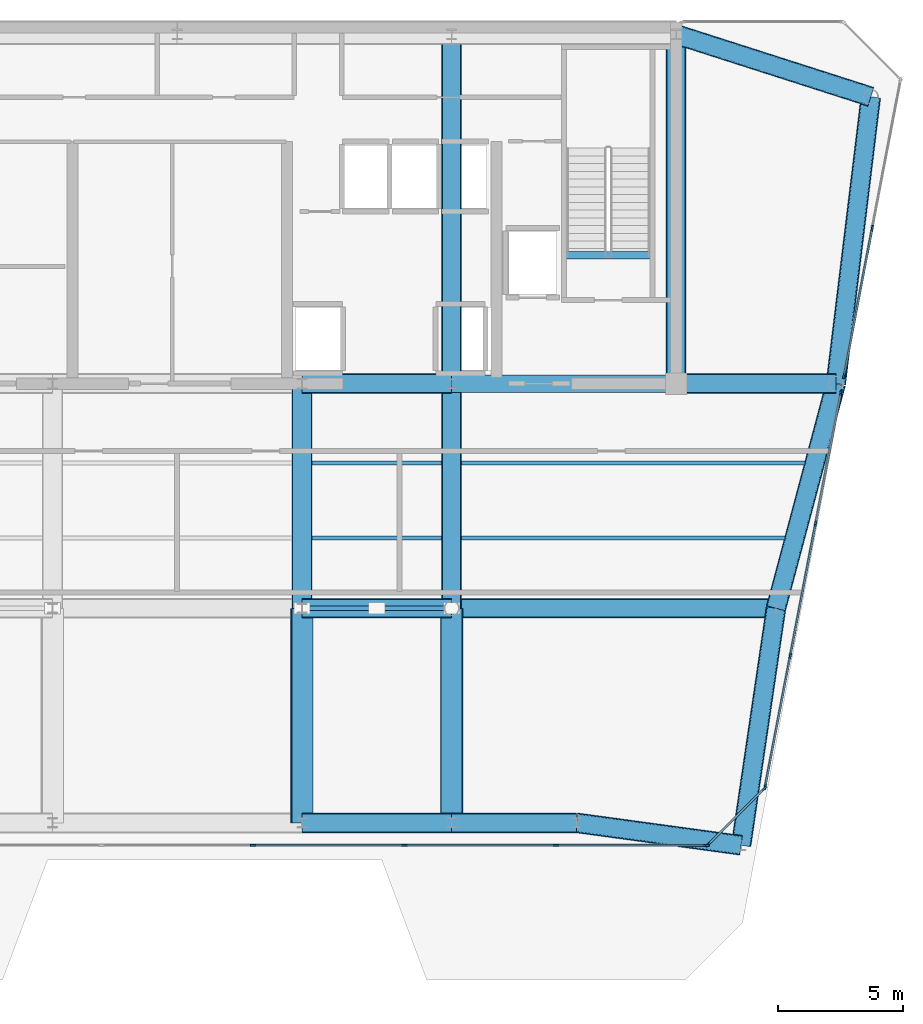
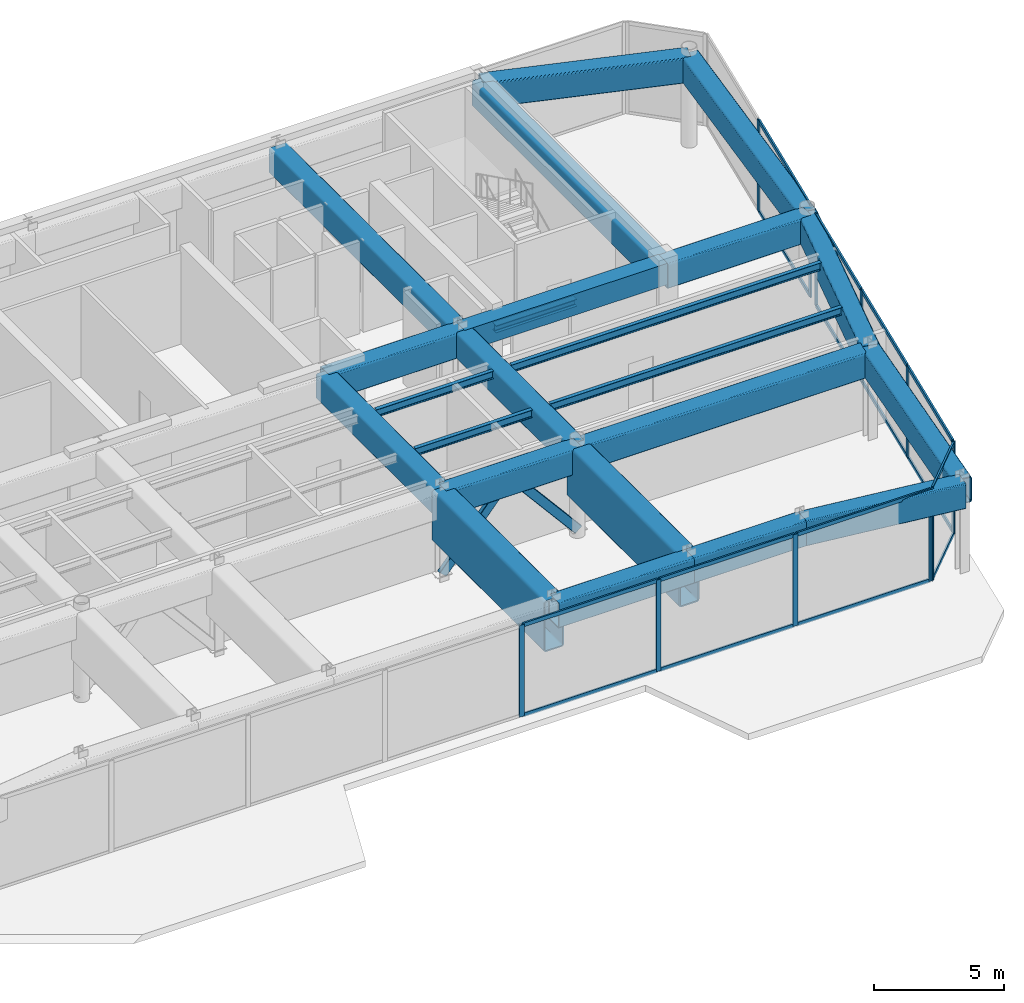
# One storey, part 5 of 14: 30 members, 23 beams, 4 elements without a shape of their own.
"""IFC4 building model written with IfcOpenShell, lengths in metres."""

from ifc_helpers import new_model, si_unit, direction, frame, origin, origin_2d, place, context, subcontext, project, spatial, rectangle, hollow_rectangle, i_section, extrude, source, transform, mapped, material, layer, layer_set, material_profile, profile_set, type_object, element, aggregate, save


model = new_model("IFC4")

# Units and contexts
model_context = context("Model", 3, precision=1e-05, world=origin(), true_north=direction((0.0, 1.0)))
body_context = subcontext(model_context, "Body", "Model", "MODEL_VIEW")
ifc_project = project(units=[si_unit("LENGTHUNIT", "METRE"), si_unit("AREAUNIT", "SQUARE_METRE"), si_unit("VOLUMEUNIT", "CUBIC_METRE"), si_unit("PLANEANGLEUNIT", "RADIAN"), si_unit("MASSUNIT", "GRAM", prefix="KILO")], contexts=[model_context])

# Site, building, storey
site_placement = place(None, origin())
site = spatial("IfcSite", under=ifc_project, at=site_placement, CompositionType="ELEMENT")
building_placement = place(site_placement, origin())
building = spatial("IfcBuilding", under=site, at=building_placement, Name="Vaeldorn Concourse Tower", CompositionType="ELEMENT")
storey_placement = place(building_placement, frame((0.0, 0.0, 303.800048828125)))
storey = spatial("IfcBuildingStorey", under=building, at=storey_placement, Name="L78", CompositionType="ELEMENT", Elevation=303.800048828125)

# Beams
ifc_material_1 = material(Name="Concrete C50/60", Category="concrete")
ifc_material_profile_1 = material_profile(ifc_material_1, rectangle(XDim=0.699951171875, YDim=1.0, at=origin_2d()), Name="RC 700x1000")
ifc_profile_set_1 = profile_set([ifc_material_profile_1], Name="Concrete C50/60")
beam_type_1 = type_object("IfcBeamType", Name="BM-CB-RC700", PredefinedType="BEAM", material=ifc_profile_set_1)
shared_shape_1 = source(origin(), body_context, "Body", "SweptSolid", [
    extrude(rectangle(XDim=0.699951171875, YDim=1.0, at=origin_2d()), origin(), (0.0, 0.0, 1.0), 9.0),
])
beam_1_placement = place(storey_placement, frame((45.0, 36.5, 3.800048828125), z_axis=(1.0, 0.0, 0.0), x_axis=(0.0, 1.0, 0.0)))
element("IfcBeam", 1, at=beam_1_placement, inside=storey, type_object=beam_type_1, Name="Core Coupling Beam L78-2", PredefinedType="BEAM", context=body_context, shape_type="MappedRepresentation", body=[
    mapped(shared_shape_1, transform((0.0, 0.0, 0.0), scale=1.0)),
])
ifc_material_2 = material(Name="Steel S355", Category="steel")
ifc_material_profile_2 = material_profile(ifc_material_2, i_section(OverallWidth=0.300048828125, OverallDepth=0.340087890625, WebThickness=0.011962890625, FlangeThickness=0.021484375, FilletRadius=0.027099609375, at=origin_2d()), Name="HEB 340")
ifc_profile_set_2 = profile_set([ifc_material_profile_2], Name="Steel S355")
beam_type_2 = type_object("IfcBeamType", Name="BM-ST-TRIM", PredefinedType="BEAM", material=ifc_profile_set_2)
shared_shape_2 = source(origin(), body_context, "Body", "SweptSolid", [
    extrude(i_section(OverallWidth=0.300048828125, OverallDepth=0.340087890625, WebThickness=0.011962890625, FlangeThickness=0.021484375, FilletRadius=0.027099609375, at=origin_2d()), origin(), (0.0, 0.0, 1.0), 3.590087890625),
])
beam_2_placement = place(storey_placement, frame((49.47998046875, 41.639892578125, -0.469970703125), z_axis=(1.0, 0.0, 0.0), x_axis=(0.0, 1.0, 0.0)))
element("IfcBeam", 2, at=beam_2_placement, inside=storey, type_object=beam_type_2, Name="Stair Landing Trimmer Beam ST-2 L78", PredefinedType="BEAM", context=body_context, shape_type="MappedRepresentation", body=[
    mapped(shared_shape_2, transform((0.0, 0.0, 0.0), scale=1.0)),
])
ifc_material_3 = material(Name="Steel S460", Category="steel")
ifc_material_profile_3 = material_profile(ifc_material_3, hollow_rectangle(XDim=0.800048828125, YDim=1.199951171875, WallThickness=0.044921875, InnerFilletRadius=0.044921875, OuterFilletRadius=0.090087890625, at=origin_2d()), Name="RHS 1200x800x45")
ifc_profile_set_3 = profile_set([ifc_material_profile_3], Name="Steel S460")
beam_type_3 = type_object("IfcBeamType", Name="BM-TG-RHS1200", PredefinedType="BEAM", material=ifc_profile_set_3)
shared_shape_3 = source(origin(), body_context, "Body", "SweptSolid", [
    extrude(hollow_rectangle(XDim=0.800048828125, YDim=1.199951171875, WallThickness=0.044921875, InnerFilletRadius=0.044921875, OuterFilletRadius=0.090087890625, at=origin_2d()), origin(), (0.0, 0.0, 1.0), 6.0),
])
for number, where, z_axis, x_axis, name in (
    (3, (39.0, 36.5, 3.699951171875), (1.0, 0.0, 0.0), (0.0, 1.0, 0.0), "Beam BM-L78-C-FC4-C-FC5"),
    (4, (39.0, 27.5, 3.699951171875), (1.0, 0.0, 0.0), (0.0, 1.0, 0.0), "Beam BM-L78-C-TW3-C-TW4"),
    (5, (39.0, 18.89990234375, 3.699951171875), (1.0, 0.0, 0.0), (0.0, 1.0, 0.0), "Beam BM-L78-C-SF4-C-SF5"),
):
    element("IfcBeam", number, at=place(storey_placement, frame(where, z_axis=z_axis, x_axis=x_axis)), inside=storey, type_object=beam_type_3, Name=name, PredefinedType="BEAM", context=body_context, shape_type="MappedRepresentation", body=[
        mapped(shared_shape_3, transform((0.0, 0.0, 0.0), scale=1.0)),
    ])
shared_shape_4 = source(origin(), body_context, "Body", "SweptSolid", [
    extrude(hollow_rectangle(XDim=0.800048828125, YDim=1.199951171875, WallThickness=0.044921875, InnerFilletRadius=0.044921875, OuterFilletRadius=0.090087890625, at=origin_2d()), origin(), (0.0, 0.0, 1.0), 9.0),
])
for number, where, z_axis, x_axis, name in (
    (6, (39.0, 27.5, 3.699951171875), (0.0, 1.0, 0.0), (-1.0, 0.0, 0.0), "Beam BM-L78-C-TW3-C-FC4"),
    (7, (45.0, 27.5, 3.699951171875), (0.0, 1.0, 0.0), (-1.0, 0.0, 0.0), "Beam BM-L78-C-TW4-C-FC5"),
):
    element("IfcBeam", number, at=place(storey_placement, frame(where, z_axis=z_axis, x_axis=x_axis)), inside=storey, type_object=beam_type_3, Name=name, PredefinedType="BEAM", context=body_context, shape_type="MappedRepresentation", body=[
        mapped(shared_shape_4, transform((0.0, 0.0, 0.0), scale=1.0)),
    ])
shared_shape_5 = source(origin(), body_context, "Body", "SweptSolid", [
    extrude(hollow_rectangle(XDim=0.800048828125, YDim=1.199951171875, WallThickness=0.044921875, InnerFilletRadius=0.044921875, OuterFilletRadius=0.090087890625, at=origin_2d()), origin(), (0.0, 0.0, 1.0), 14.0),
])
for number, where, z_axis, x_axis, name in (
    (8, (45.0, 36.5, 3.699951171875), (0.0, 1.0, 0.0), (-1.0, 0.0, 0.0), "Beam BM-L78-C-FC5-C-HC4"),
    (9, (54.0, 36.5, 3.699951171875), (0.0, 1.0, 0.0), (-1.0, 0.0, 0.0), "Beam BM-L78-C-FC6-C-HC5"),
):
    element("IfcBeam", number, at=place(storey_placement, frame(where, z_axis=z_axis, x_axis=x_axis)), inside=storey, type_object=beam_type_3, Name=name, PredefinedType="BEAM", context=body_context, shape_type="MappedRepresentation", body=[
        mapped(shared_shape_5, transform((0.0, 0.0, 0.0), scale=1.0)),
    ])
shared_shape_6 = source(origin(), body_context, "Body", "SweptSolid", [
    extrude(hollow_rectangle(XDim=0.800048828125, YDim=1.199951171875, WallThickness=0.044921875, InnerFilletRadius=0.044921875, OuterFilletRadius=0.090087890625, at=origin_2d()), origin(), (0.0, 0.0, 1.0), 13.0),
])
beam_3_placement = place(storey_placement, frame((45.0, 27.5, 3.699951171875), z_axis=(1.0, 0.0, 0.0), x_axis=(0.0, 1.0, 0.0)))
element("IfcBeam", 10, at=beam_3_placement, inside=storey, type_object=beam_type_3, Name="Beam BM-L78-C-TW4-C-FLE1", PredefinedType="BEAM", context=body_context, shape_type="MappedRepresentation", body=[
    mapped(shared_shape_6, transform((0.0, 0.0, 0.0), scale=1.0)),
])
shared_shape_7 = source(origin(), body_context, "Body", "SweptSolid", [
    extrude(hollow_rectangle(XDim=0.800048828125, YDim=1.199951171875, WallThickness=0.044921875, InnerFilletRadius=0.044921875, OuterFilletRadius=0.090087890625, at=origin_2d()), origin(), (0.0, 0.0, 1.0), 5.0),
])
beam_4_placement = place(storey_placement, frame((45.0, 18.89990234375, 3.699951171875), z_axis=(1.0, 0.0, 0.0), x_axis=(0.0, 1.0, 0.0)))
element("IfcBeam", 11, at=beam_4_placement, inside=storey, type_object=beam_type_3, Name="Beam BM-L78-C-SF5-C-SF6", PredefinedType="BEAM", context=body_context, shape_type="MappedRepresentation", body=[
    mapped(shared_shape_7, transform((0.0, 0.0, 0.0), scale=1.0)),
])
shared_shape_8 = source(origin(), body_context, "Body", "SweptSolid", [
    extrude(hollow_rectangle(XDim=0.800048828125, YDim=1.199951171875, WallThickness=0.044921875, InnerFilletRadius=0.044921875, OuterFilletRadius=0.090087890625, at=origin_2d()), origin(), (0.0, 0.0, 1.0), 6.39990234375),
])
beam_5_placement = place(storey_placement, frame((54.0, 36.5, 3.699951171875), z_axis=(1.0, 0.0, 0.0), x_axis=(0.0, 1.0, 0.0)))
element("IfcBeam", 12, at=beam_5_placement, inside=storey, type_object=beam_type_3, Name="Beam BM-L78-C-FC6-C-NE2", PredefinedType="BEAM", context=body_context, shape_type="MappedRepresentation", body=[
    mapped(shared_shape_8, transform((0.0, 0.0, 0.0), scale=1.0)),
])
shared_shape_9 = source(origin(), body_context, "Body", "SweptSolid", [
    extrude(hollow_rectangle(XDim=0.800048828125, YDim=1.199951171875, WallThickness=0.044921875, InnerFilletRadius=0.044921875, OuterFilletRadius=0.090087890625, at=origin_2d()), origin(), (0.0, 0.0, 1.0), 8.19091796875),
])
beam_6_placement = place(storey_placement, frame((54.0, 50.5, 3.699951171875), z_axis=(0.952282843383, -0.305216949396, 0.0), x_axis=(0.305216949396, 0.952282843383, 0.0)))
element("IfcBeam", 13, at=beam_6_placement, inside=storey, type_object=beam_type_3, Name="Beam BM-L78-C-HC5-C-NE1", PredefinedType="BEAM", context=body_context, shape_type="MappedRepresentation", body=[
    mapped(shared_shape_9, transform((0.0, 0.0, 0.0), scale=1.0)),
])
shared_shape_10 = source(origin(), body_context, "Body", "SweptSolid", [
    extrude(hollow_rectangle(XDim=0.800048828125, YDim=1.199951171875, WallThickness=0.044921875, InnerFilletRadius=0.044921875, OuterFilletRadius=0.090087890625, at=origin_2d()), origin(), (0.0, 0.0, 1.0), 11.5849609375),
])
beam_7_placement = place(storey_placement, frame((61.800048828125, 48.0, 3.699951171875), z_axis=(-0.120859382899, -0.992669637677, 0.0), x_axis=(0.992669637677, -0.120859382899, 0.0)))
element("IfcBeam", 14, at=beam_7_placement, inside=storey, type_object=beam_type_3, Name="Beam BM-L78-C-NE1-C-NE2", PredefinedType="BEAM", context=body_context, shape_type="MappedRepresentation", body=[
    mapped(shared_shape_10, transform((0.0, 0.0, 0.0), scale=1.0)),
])
shared_shape_11 = source(origin(), body_context, "Body", "SweptSolid", [
    extrude(hollow_rectangle(XDim=0.800048828125, YDim=1.199951171875, WallThickness=0.044921875, InnerFilletRadius=0.044921875, OuterFilletRadius=0.090087890625, at=origin_2d()), origin(), (0.0, 0.0, 1.0), 9.314453125),
])
beam_8_placement = place(storey_placement, frame((60.39990234375, 36.5, 3.699951171875), z_axis=(-0.257652862255, -0.966237549763, 0.0), x_axis=(0.966237549763, -0.257652862255, 0.0)))
element("IfcBeam", 15, at=beam_8_placement, inside=storey, type_object=beam_type_3, Name="Beam BM-L78-C-NE2-C-FLE1", PredefinedType="BEAM", context=body_context, shape_type="MappedRepresentation", body=[
    mapped(shared_shape_11, transform((0.0, 0.0, 0.0), scale=1.0)),
])
shared_shape_12 = source(origin(), body_context, "Body", "SweptSolid", [
    extrude(hollow_rectangle(XDim=0.800048828125, YDim=1.199951171875, WallThickness=0.044921875, InnerFilletRadius=0.044921875, OuterFilletRadius=0.090087890625, at=origin_2d()), origin(), (0.0, 0.0, 1.0), 9.6025390625),
])
beam_9_placement = place(storey_placement, frame((58.0, 27.5, 3.699951171875), z_axis=(-0.145783835977, -0.989316467652, 0.0), x_axis=(0.989316467652, -0.145783835977, 0.0)))
element("IfcBeam", 16, at=beam_9_placement, inside=storey, type_object=beam_type_3, Name="Beam BM-L78-C-FLE1-C-FLE2", PredefinedType="BEAM", context=body_context, shape_type="MappedRepresentation", body=[
    mapped(shared_shape_12, transform((0.0, 0.0, 0.0), scale=1.0)),
])
ifc_material_profile_4 = material_profile(ifc_material_2, i_section(OverallWidth=0.169921875, OverallDepth=0.360107421875, WebThickness=0.008056640625, FlangeThickness=0.0126953125, FilletRadius=0.01806640625, at=origin_2d()), Name="IPE 360")
ifc_profile_set_4 = profile_set([ifc_material_profile_4], Name="Steel S355")
beam_type_4 = type_object("IfcBeamType", Name="BM-JS-IPE360", PredefinedType="JOIST", material=ifc_profile_set_4)
shared_shape_13 = source(origin(), body_context, "Body", "SweptSolid", [
    extrude(i_section(OverallWidth=0.169921875, OverallDepth=0.360107421875, WebThickness=0.008056640625, FlangeThickness=0.0126953125, FilletRadius=0.01806640625, at=origin_2d()), origin(), (0.0, 0.0, 1.0), 5.2001953125),
])
for number, where, z_axis, x_axis, name in (
    (17, (39.39990234375, 30.320068359375, 4.119873046875), (1.0, 0.0, 0.0), (0.0, 1.0, 0.0), "Beam JS-L78-E2-303"),
    (18, (39.39990234375, 33.320068359375, 4.119873046875), (1.0, 0.0, 0.0), (0.0, 1.0, 0.0), "Beam JS-L78-E2-333"),
):
    element("IfcBeam", number, at=place(storey_placement, frame(where, z_axis=z_axis, x_axis=x_axis)), inside=storey, type_object=beam_type_4, Name=name, PredefinedType="JOIST", context=body_context, shape_type="MappedRepresentation", body=[
        mapped(shared_shape_13, transform((0.0, 0.0, 0.0), scale=1.0)),
    ])
shared_shape_14 = source(origin(), body_context, "Body", "SweptSolid", [
    extrude(i_section(OverallWidth=0.169921875, OverallDepth=0.360107421875, WebThickness=0.008056640625, FlangeThickness=0.0126953125, FilletRadius=0.01806640625, at=origin_2d()), origin(), (0.0, 0.0, 1.0), 12.9521484375),
])
beam_10_placement = place(storey_placement, frame((45.39990234375, 30.320068359375, 4.119873046875), z_axis=(1.0, 0.0, 0.0), x_axis=(0.0, 1.0, 0.0)))
element("IfcBeam", 19, at=beam_10_placement, inside=storey, type_object=beam_type_4, Name="Beam JS-L78-E1-303", PredefinedType="JOIST", context=body_context, shape_type="MappedRepresentation", body=[
    mapped(shared_shape_14, transform((0.0, 0.0, 0.0), scale=1.0)),
])
shared_shape_15 = source(origin(), body_context, "Body", "SweptSolid", [
    extrude(i_section(OverallWidth=0.169921875, OverallDepth=0.360107421875, WebThickness=0.008056640625, FlangeThickness=0.0126953125, FilletRadius=0.01806640625, at=origin_2d()), origin(), (0.0, 0.0, 1.0), 13.752197265625),
])
beam_11_placement = place(storey_placement, frame((45.39990234375, 33.320068359375, 4.119873046875), z_axis=(1.0, 0.0, 0.0), x_axis=(0.0, 1.0, 0.0)))
element("IfcBeam", 20, at=beam_11_placement, inside=storey, type_object=beam_type_4, Name="Beam JS-L78-E1-333", PredefinedType="JOIST", context=body_context, shape_type="MappedRepresentation", body=[
    mapped(shared_shape_15, transform((0.0, 0.0, 0.0), scale=1.0)),
])
ifc_material_profile_5 = material_profile(ifc_material_3, hollow_rectangle(XDim=0.89990234375, YDim=2.39990234375, WallThickness=0.06005859375, InnerFilletRadius=0.06005859375, OuterFilletRadius=0.1201171875, at=origin_2d()), Name="RHS 2400x900x60")
ifc_profile_set_5 = profile_set([ifc_material_profile_5], Name="Steel S460")
beam_type_5 = type_object("IfcBeamType", Name="BM-TG-BOX2400", PredefinedType="BEAM", material=ifc_profile_set_5)
shared_shape_16 = source(origin(), body_context, "Body", "SweptSolid", [
    extrude(hollow_rectangle(XDim=0.89990234375, YDim=2.39990234375, WallThickness=0.06005859375, InnerFilletRadius=0.06005859375, OuterFilletRadius=0.1201171875, at=origin_2d()), origin(), (0.0, 0.0, 1.0), 8.60009765625),
])
for number, where, z_axis, x_axis, name in (
    (21, (39.0, 18.89990234375, 3.099853515625), (0.0, 1.0, 0.0), (-1.0, 0.0, 0.0), "Beam BM-SETBACK-L78-C-SF4"),
    (22, (45.0, 18.89990234375, 3.099853515625), (0.0, 1.0, 0.0), (-1.0, 0.0, 0.0), "Beam BM-SETBACK-L78-C-SF5"),
):
    element("IfcBeam", number, at=place(storey_placement, frame(where, z_axis=z_axis, x_axis=x_axis)), inside=storey, type_object=beam_type_5, Name=name, PredefinedType="BEAM", context=body_context, shape_type="MappedRepresentation", body=[
        mapped(shared_shape_16, transform((0.0, 0.0, 0.0), scale=1.0)),
    ])
shared_shape_17 = source(origin(), body_context, "Body", "SweptSolid", [
    extrude(hollow_rectangle(XDim=0.800048828125, YDim=1.199951171875, WallThickness=0.044921875, InnerFilletRadius=0.044921875, OuterFilletRadius=0.090087890625, at=origin_2d()), origin(), (0.0, 0.0, 1.0), 6.6611328125),
])
beam_12_placement = place(storey_placement, frame((50.0, 18.89990234375, 3.699951171875), z_axis=(0.990832398214, -0.135096849146, 0.0), x_axis=(0.135096849146, 0.990832398214, 0.0)))
element("IfcBeam", 23, at=beam_12_placement, inside=storey, type_object=beam_type_3, Name="Beam BM-L78-C-SF6-C-FLE2", PredefinedType="BEAM", context=body_context, shape_type="MappedRepresentation", body=[
    mapped(shared_shape_17, transform((0.0, 0.0, 0.0), scale=1.0)),
])

# Members
ifc_material_profile_6 = material_profile(ifc_material_2, hollow_rectangle(XDim=0.199951171875, YDim=0.39990234375, WallThickness=0.01611328125, InnerFilletRadius=0.01611328125, OuterFilletRadius=0.031982421875, at=origin_2d()), Name="RHS 400x200x16")
ifc_profile_set_6 = profile_set([ifc_material_profile_6], Name="Steel S355")
member_type_1 = type_object("IfcMemberType", Name="MB-CRN-STRUT", PredefinedType="STRUT", material=ifc_profile_set_6)
shared_shape_18 = source(origin(), body_context, "Body", "SweptSolid", [
    extrude(hollow_rectangle(XDim=0.199951171875, YDim=0.39990234375, WallThickness=0.01611328125, InnerFilletRadius=0.01611328125, OuterFilletRadius=0.031982421875, at=origin_2d()), origin(), (0.0, 0.0, 1.0), 4.64794921875),
])
for number, where, z_axis, x_axis, name in (
    (24, (39.0, 27.5, 0.25), (0.645454693262, 0.0, 0.763798559141), (0.0, 1.0, 0.0), "Crown Frame Brace Strut L78-2A"),
    (25, (45.0, 27.5, 0.25), (-0.645454693262, 0.0, 0.763798559141), (0.0, -1.0, 0.0), "Crown Frame Brace Strut L78-2B"),
):
    element("IfcMember", number, at=place(storey_placement, frame(where, z_axis=z_axis, x_axis=x_axis)), inside=storey, type_object=member_type_1, Name=name, PredefinedType="STRUT", context=body_context, shape_type="MappedRepresentation", body=[
        mapped(shared_shape_18, transform((0.0, 0.0, 0.0), scale=1.0)),
    ])

# Curtain wall, members
ifc_material_4 = material(Name="Anodised Bronze Aluminium", Category="aluminium")
ifc_layer = layer(ifc_material_4, 0.22998046875)
ifc_layer_set = layer_set([ifc_layer], Name="Anodised Bronze Aluminium")
curtain_wall_type = type_object("IfcCurtainWallType", Name="CW-SYS-07", PredefinedType="NOTDEFINED", material=ifc_layer_set)
curtain_wall_1_placement = place(storey_placement, origin())
curtain_wall_1 = element("IfcCurtainWall", 26, at=curtain_wall_1_placement, inside=storey, type_object=curtain_wall_type, Name="Unitised Curtain Wall CW-L78-E02-1", PredefinedType="NOTDEFINED")
ifc_material_profile_7 = material_profile(ifc_material_4, rectangle(XDim=0.074951171875, YDim=0.179931640625, at=origin_2d()), Name="CWT 75x180")
ifc_profile_set_7 = profile_set([ifc_material_profile_7], Name="Anodised Bronze Aluminium")
member_type_2 = type_object("IfcMemberType", Name="CWT-BRONZE-180", PredefinedType="USERDEFINED", material=ifc_profile_set_7)
shared_shape_19 = source(origin(), body_context, "Body", "SweptSolid", [
    extrude(rectangle(XDim=0.074951171875, YDim=0.179931640625, at=origin_2d()), origin(), (0.0, 0.0, 1.0), 3.102783203125),
])
member_1_placement = place(storey_placement, frame((55.30810546875, 18.052978515625, 0.037353515625), z_axis=(0.707067437368, 0.707146122816, 0.0), x_axis=(-0.707146122816, 0.707067437368, 0.0)))
member_1 = element("IfcMember", 27, at=member_1_placement, type_object=member_type_2, Name="CW-07 transom 1.1", ObjectType="TRANSOM", PredefinedType="USERDEFINED", context=body_context, shape_type="MappedRepresentation", body=[
    mapped(shared_shape_19, transform((0.0, 0.0, 0.0), scale=1.0)),
])
member_2_placement = place(storey_placement, frame((55.30810546875, 18.052978515625, 4.262451171875), z_axis=(0.707067437368, 0.707146122816, 0.0), x_axis=(-0.707146122816, 0.707067437368, 0.0)))
member_2 = element("IfcMember", 28, at=member_2_placement, type_object=member_type_2, Name="CW-07 transom 1.2", ObjectType="TRANSOM", PredefinedType="USERDEFINED", context=body_context, shape_type="MappedRepresentation", body=[
    mapped(shared_shape_19, transform((0.0, 0.0, 0.0), scale=1.0)),
])

curtain_wall_2_placement = place(storey_placement, origin())
curtain_wall_2 = element("IfcCurtainWall", 29, at=curtain_wall_2_placement, inside=storey, type_object=curtain_wall_type, Name="Unitised Curtain Wall CW-L78-E01-1", PredefinedType="NOTDEFINED")
ifc_material_profile_8 = material_profile(ifc_material_4, rectangle(XDim=0.074951171875, YDim=0.219970703125, at=origin_2d()), Name="CWM 75x220")
ifc_profile_set_8 = profile_set([ifc_material_profile_8], Name="Anodised Bronze Aluminium")
member_type_3 = type_object("IfcMemberType", Name="CWM-BRONZE-220", PredefinedType="MULLION", material=ifc_profile_set_8)
shared_shape_20 = source(origin(), body_context, "Body", "SweptSolid", [
    extrude(rectangle(XDim=0.074951171875, YDim=0.219970703125, at=origin_2d()), origin(), (0.0, 0.0, 1.0), 4.300048828125),
])
member_3_placement = place(storey_placement, frame((37.036376953125, 18.0, 0.0), z_axis=(0.0, 0.0, 1.0), x_axis=(0.0, 1.0, 0.0)))
member_3 = element("IfcMember", 30, at=member_3_placement, type_object=member_type_3, Name="CW-07 mullion 5", PredefinedType="MULLION", context=body_context, shape_type="MappedRepresentation", body=[
    mapped(shared_shape_20, transform((0.0, 0.0, 0.0), scale=1.0)),
])
member_4_placement = place(storey_placement, frame((43.109375, 18.0, 0.0), z_axis=(0.0, 0.0, 1.0), x_axis=(0.0, 1.0, 0.0)))
member_4 = element("IfcMember", 31, at=member_4_placement, type_object=member_type_3, Name="CW-07 mullion 6", PredefinedType="MULLION", context=body_context, shape_type="MappedRepresentation", body=[
    mapped(shared_shape_20, transform((0.0, 0.0, 0.0), scale=1.0)),
])
member_5_placement = place(storey_placement, frame((49.18212890625, 18.0, 0.0), z_axis=(0.0, 0.0, 1.0), x_axis=(0.0, 1.0, 0.0)))
member_5 = element("IfcMember", 32, at=member_5_placement, type_object=member_type_3, Name="CW-07 mullion 7", PredefinedType="MULLION", context=body_context, shape_type="MappedRepresentation", body=[
    mapped(shared_shape_20, transform((0.0, 0.0, 0.0), scale=1.0)),
])
member_6_placement = place(storey_placement, frame((55.217529296875, 18.0, 0.0), z_axis=(0.0, 0.0, 1.0), x_axis=(0.0, 1.0, 0.0)))
member_6 = element("IfcMember", 33, at=member_6_placement, type_object=member_type_3, Name="CW-07 mullion 8", PredefinedType="MULLION", context=body_context, shape_type="MappedRepresentation", body=[
    mapped(shared_shape_20, transform((0.0, 0.0, 0.0), scale=1.0)),
])

# Member
member_7_placement = place(storey_placement, frame((55.281494140625, 18.026611328125, 0.0), z_axis=(0.0, 0.0, 1.0), x_axis=(-0.707106781187, 0.707106781187, 0.0)))
member_7 = element("IfcMember", 34, at=member_7_placement, type_object=member_type_3, Name="CW-07 mullion 1", PredefinedType="MULLION", context=body_context, shape_type="MappedRepresentation", body=[
    mapped(shared_shape_20, transform((0.0, 0.0, 0.0), scale=1.0)),
])

member_8_placement = place(storey_placement, frame((57.528564453125, 20.2734375, 0.0), z_axis=(0.0, 0.0, 1.0), x_axis=(-0.707106781187, 0.707106781187, 0.0)))
member_8 = element("IfcMember", 35, at=member_8_placement, type_object=member_type_3, Name="CW-07 mullion 2", PredefinedType="MULLION", context=body_context, shape_type="MappedRepresentation", body=[
    mapped(shared_shape_20, transform((0.0, 0.0, 0.0), scale=1.0)),
])

aggregate(curtain_wall_1, [member_7, member_8, member_1, member_2])

# Curtain wall, members
curtain_wall_3_placement = place(storey_placement, origin())
curtain_wall_3 = element("IfcCurtainWall", 36, at=curtain_wall_3_placement, inside=storey, type_object=curtain_wall_type, Name="Unitised Curtain Wall CW-L78-E03-1", PredefinedType="NOTDEFINED")
member_9_placement = place(storey_placement, frame((57.56201171875, 20.3369140625, 0.0), z_axis=(0.0, 0.0, 1.0), x_axis=(-0.982111865805, 0.188298388323, 0.0)))
member_9 = element("IfcMember", 37, at=member_9_placement, type_object=member_type_3, Name="CW-07 mullion 1", PredefinedType="MULLION", context=body_context, shape_type="MappedRepresentation", body=[
    mapped(shared_shape_20, transform((0.0, 0.0, 0.0), scale=1.0)),
])
member_10_placement = place(storey_placement, frame((58.5703125, 25.594970703125, 0.0), z_axis=(0.0, 0.0, 1.0), x_axis=(-0.982111865805, 0.188298388323, 0.0)))
member_10 = element("IfcMember", 38, at=member_10_placement, type_object=member_type_3, Name="CW-07 mullion 2", PredefinedType="MULLION", context=body_context, shape_type="MappedRepresentation", body=[
    mapped(shared_shape_20, transform((0.0, 0.0, 0.0), scale=1.0)),
])
member_11_placement = place(storey_placement, frame((59.58544921875, 30.889892578125, 0.0), z_axis=(0.0, 0.0, 1.0), x_axis=(-0.982111865805, 0.188298388323, 0.0)))
member_11 = element("IfcMember", 39, at=member_11_placement, type_object=member_type_3, Name="CW-07 mullion 3", PredefinedType="MULLION", context=body_context, shape_type="MappedRepresentation", body=[
    mapped(shared_shape_20, transform((0.0, 0.0, 0.0), scale=1.0)),
])
member_12_placement = place(storey_placement, frame((60.593505859375, 36.148193359375, 0.0), z_axis=(0.0, 0.0, 1.0), x_axis=(-0.982111865805, 0.188298388323, 0.0)))
member_12 = element("IfcMember", 40, at=member_12_placement, type_object=member_type_3, Name="CW-07 mullion 4", PredefinedType="MULLION", context=body_context, shape_type="MappedRepresentation", body=[
    mapped(shared_shape_20, transform((0.0, 0.0, 0.0), scale=1.0)),
])

curtain_wall_4_placement = place(storey_placement, origin())
curtain_wall_4 = element("IfcCurtainWall", 41, at=curtain_wall_4_placement, inside=storey, type_object=curtain_wall_type, Name="Unitised Curtain Wall CW-L78-E03-2", PredefinedType="NOTDEFINED")
member_13_placement = place(storey_placement, frame((60.72216796875, 36.81884765625, 0.0), z_axis=(0.0, 0.0, 1.0), x_axis=(-0.982112384192, 0.188295684539, 0.0)))
member_13 = element("IfcMember", 42, at=member_13_placement, type_object=member_type_3, Name="CW-07 mullion 1", PredefinedType="MULLION", context=body_context, shape_type="MappedRepresentation", body=[
    mapped(shared_shape_20, transform((0.0, 0.0, 0.0), scale=1.0)),
])
member_14_placement = place(storey_placement, frame((61.857421875, 42.740966796875, 0.0), z_axis=(0.0, 0.0, 1.0), x_axis=(-0.982112384192, 0.188295684539, 0.0)))
member_14 = element("IfcMember", 43, at=member_14_placement, type_object=member_type_3, Name="CW-07 mullion 2", PredefinedType="MULLION", context=body_context, shape_type="MappedRepresentation", body=[
    mapped(shared_shape_20, transform((0.0, 0.0, 0.0), scale=1.0)),
])

# Member
shared_shape_21 = source(origin(), body_context, "Body", "SweptSolid", [
    extrude(rectangle(XDim=0.074951171875, YDim=0.179931640625, at=origin_2d()), origin(), (0.0, 0.0, 1.0), 5.960205078125),
])
member_15_placement = place(storey_placement, frame((49.2197265625, 18.0, 0.037353515625), z_axis=(1.0, 0.0, 0.0), x_axis=(0.0, 1.0, 0.0)))
member_15 = element("IfcMember", 44, at=member_15_placement, type_object=member_type_2, Name="CW-07 transom 7.1", ObjectType="TRANSOM", PredefinedType="USERDEFINED", context=body_context, shape_type="MappedRepresentation", body=[
    mapped(shared_shape_21, transform((0.0, 0.0, 0.0), scale=1.0)),
])

member_16_placement = place(storey_placement, frame((49.2197265625, 18.0, 4.262451171875), z_axis=(1.0, 0.0, 0.0), x_axis=(0.0, 1.0, 0.0)))
member_16 = element("IfcMember", 45, at=member_16_placement, type_object=member_type_2, Name="CW-07 transom 7.2", ObjectType="TRANSOM", PredefinedType="USERDEFINED", context=body_context, shape_type="MappedRepresentation", body=[
    mapped(shared_shape_21, transform((0.0, 0.0, 0.0), scale=1.0)),
])

shared_shape_22 = source(origin(), body_context, "Body", "SweptSolid", [
    extrude(rectangle(XDim=0.074951171875, YDim=0.179931640625, at=origin_2d()), origin(), (0.0, 0.0, 1.0), 5.997802734375),
])
member_17_placement = place(storey_placement, frame((37.073974609375, 18.0, 0.037353515625), z_axis=(1.0, 0.0, 0.0), x_axis=(0.0, 1.0, 0.0)))
member_17 = element("IfcMember", 46, at=member_17_placement, type_object=member_type_2, Name="CW-07 transom 5.1", ObjectType="TRANSOM", PredefinedType="USERDEFINED", context=body_context, shape_type="MappedRepresentation", body=[
    mapped(shared_shape_22, transform((0.0, 0.0, 0.0), scale=1.0)),
])

member_18_placement = place(storey_placement, frame((37.073974609375, 18.0, 4.262451171875), z_axis=(1.0, 0.0, 0.0), x_axis=(0.0, 1.0, 0.0)))
member_18 = element("IfcMember", 47, at=member_18_placement, type_object=member_type_2, Name="CW-07 transom 5.2", ObjectType="TRANSOM", PredefinedType="USERDEFINED", context=body_context, shape_type="MappedRepresentation", body=[
    mapped(shared_shape_22, transform((0.0, 0.0, 0.0), scale=1.0)),
])

member_19_placement = place(storey_placement, frame((43.146728515625, 18.0, 0.037353515625), z_axis=(1.0, 0.0, 0.0), x_axis=(0.0, 1.0, 0.0)))
member_19 = element("IfcMember", 48, at=member_19_placement, type_object=member_type_2, Name="CW-07 transom 6.1", ObjectType="TRANSOM", PredefinedType="USERDEFINED", context=body_context, shape_type="MappedRepresentation", body=[
    mapped(shared_shape_22, transform((0.0, 0.0, 0.0), scale=1.0)),
])

member_20_placement = place(storey_placement, frame((43.146728515625, 18.0, 4.262451171875), z_axis=(1.0, 0.0, 0.0), x_axis=(0.0, 1.0, 0.0)))
member_20 = element("IfcMember", 49, at=member_20_placement, type_object=member_type_2, Name="CW-07 transom 6.2", ObjectType="TRANSOM", PredefinedType="USERDEFINED", context=body_context, shape_type="MappedRepresentation", body=[
    mapped(shared_shape_22, transform((0.0, 0.0, 0.0), scale=1.0)),
])

aggregate(curtain_wall_2, [member_3, member_4, member_5, member_6, member_17, member_18, member_19, member_20, member_15, member_16])

shared_shape_23 = source(origin(), body_context, "Body", "SweptSolid", [
    extrude(rectangle(XDim=0.074951171875, YDim=0.179931640625, at=origin_2d()), origin(), (0.0, 0.0, 1.0), 5.27880859375),
])
member_21_placement = place(storey_placement, frame((57.569091796875, 20.373779296875, 0.037353515625), z_axis=(0.188327605618, 0.98210626358, 0.0), x_axis=(-0.98210626358, 0.188327605618, 0.0)))
member_21 = element("IfcMember", 50, at=member_21_placement, type_object=member_type_2, Name="CW-07 transom 1.1", ObjectType="TRANSOM", PredefinedType="USERDEFINED", context=body_context, shape_type="MappedRepresentation", body=[
    mapped(shared_shape_23, transform((0.0, 0.0, 0.0), scale=1.0)),
])

member_22_placement = place(storey_placement, frame((57.569091796875, 20.373779296875, 4.262451171875), z_axis=(0.188327605618, 0.98210626358, 0.0), x_axis=(-0.98210626358, 0.188327605618, 0.0)))
member_22 = element("IfcMember", 51, at=member_22_placement, type_object=member_type_2, Name="CW-07 transom 1.2", ObjectType="TRANSOM", PredefinedType="USERDEFINED", context=body_context, shape_type="MappedRepresentation", body=[
    mapped(shared_shape_23, transform((0.0, 0.0, 0.0), scale=1.0)),
])

shared_shape_24 = source(origin(), body_context, "Body", "SweptSolid", [
    extrude(rectangle(XDim=0.074951171875, YDim=0.179931640625, at=origin_2d()), origin(), (0.0, 0.0, 1.0), 5.316650390625),
])
member_23_placement = place(storey_placement, frame((58.5771484375, 25.6318359375, 0.037353515625), z_axis=(0.188321079128, 0.98210751507, 0.0), x_axis=(-0.98210751507, 0.188321079128, 0.0)))
member_23 = element("IfcMember", 52, at=member_23_placement, type_object=member_type_2, Name="CW-07 transom 2.1", ObjectType="TRANSOM", PredefinedType="USERDEFINED", context=body_context, shape_type="MappedRepresentation", body=[
    mapped(shared_shape_24, transform((0.0, 0.0, 0.0), scale=1.0)),
])

member_24_placement = place(storey_placement, frame((58.5771484375, 25.6318359375, 4.262451171875), z_axis=(0.188321079128, 0.98210751507, 0.0), x_axis=(-0.98210751507, 0.188321079128, 0.0)))
member_24 = element("IfcMember", 53, at=member_24_placement, type_object=member_type_2, Name="CW-07 transom 2.2", ObjectType="TRANSOM", PredefinedType="USERDEFINED", context=body_context, shape_type="MappedRepresentation", body=[
    mapped(shared_shape_24, transform((0.0, 0.0, 0.0), scale=1.0)),
])

shared_shape_25 = source(origin(), body_context, "Body", "SweptSolid", [
    extrude(rectangle(XDim=0.074951171875, YDim=0.179931640625, at=origin_2d()), origin(), (0.0, 0.0, 1.0), 5.279052734375),
])
member_25_placement = place(storey_placement, frame((59.592529296875, 30.9267578125, 0.037353515625), z_axis=(0.188274444037, 0.982116456294, 0.0), x_axis=(-0.982116456294, 0.188274444037, 0.0)))
member_25 = element("IfcMember", 54, at=member_25_placement, type_object=member_type_2, Name="CW-07 transom 3.1", ObjectType="TRANSOM", PredefinedType="USERDEFINED", context=body_context, shape_type="MappedRepresentation", body=[
    mapped(shared_shape_25, transform((0.0, 0.0, 0.0), scale=1.0)),
])

member_26_placement = place(storey_placement, frame((59.592529296875, 30.9267578125, 4.262451171875), z_axis=(0.188274444037, 0.982116456294, 0.0), x_axis=(-0.982116456294, 0.188274444037, 0.0)))
member_26 = element("IfcMember", 55, at=member_26_placement, type_object=member_type_2, Name="CW-07 transom 3.2", ObjectType="TRANSOM", PredefinedType="USERDEFINED", context=body_context, shape_type="MappedRepresentation", body=[
    mapped(shared_shape_25, transform((0.0, 0.0, 0.0), scale=1.0)),
])

aggregate(curtain_wall_3, [member_9, member_10, member_11, member_12, member_21, member_22, member_23, member_24, member_25, member_26])

shared_shape_26 = source(origin(), body_context, "Body", "SweptSolid", [
    extrude(rectangle(XDim=0.074951171875, YDim=0.179931640625, at=origin_2d()), origin(), (0.0, 0.0, 1.0), 5.955078125),
])
member_27_placement = place(storey_placement, frame((60.72900390625, 36.85546875, 0.037353515625), z_axis=(0.188296923106, 0.982112146727, 0.0), x_axis=(-0.982112146727, 0.188296923106, 0.0)))
member_27 = element("IfcMember", 56, at=member_27_placement, type_object=member_type_2, Name="CW-07 transom 1.1", ObjectType="TRANSOM", PredefinedType="USERDEFINED", context=body_context, shape_type="MappedRepresentation", body=[
    mapped(shared_shape_26, transform((0.0, 0.0, 0.0), scale=1.0)),
])

member_28_placement = place(storey_placement, frame((60.72900390625, 36.85546875, 4.262451171875), z_axis=(0.188296923106, 0.982112146727, 0.0), x_axis=(-0.982112146727, 0.188296923106, 0.0)))
member_28 = element("IfcMember", 57, at=member_28_placement, type_object=member_type_2, Name="CW-07 transom 1.2", ObjectType="TRANSOM", PredefinedType="USERDEFINED", context=body_context, shape_type="MappedRepresentation", body=[
    mapped(shared_shape_26, transform((0.0, 0.0, 0.0), scale=1.0)),
])

aggregate(curtain_wall_4, [member_13, member_14, member_27, member_28])

save(model, "model.ifc")
